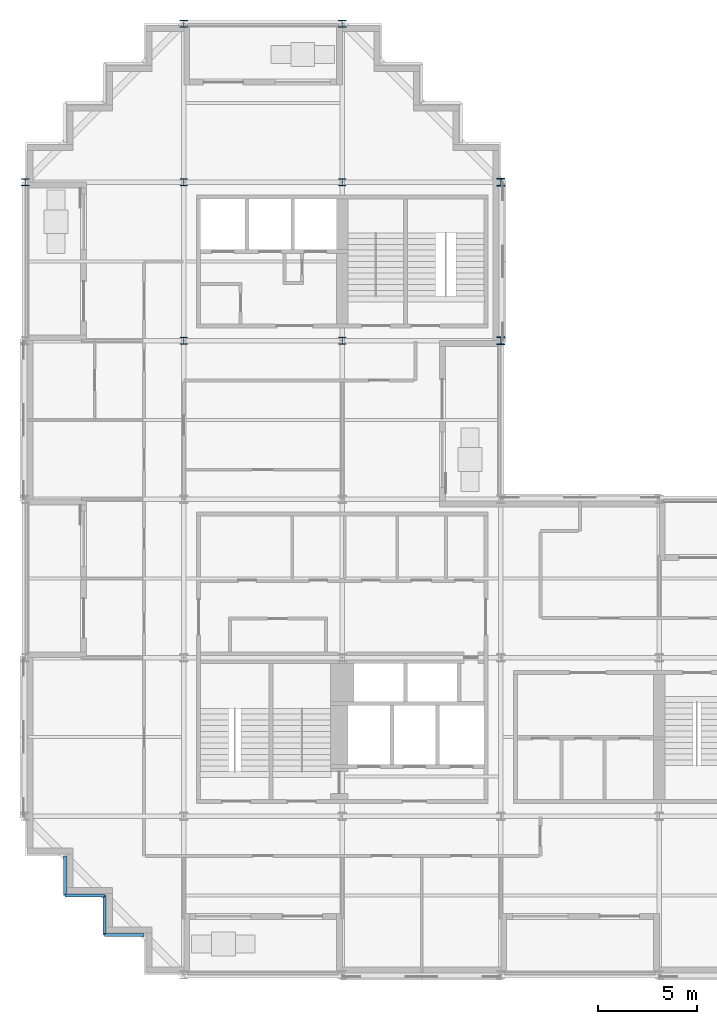
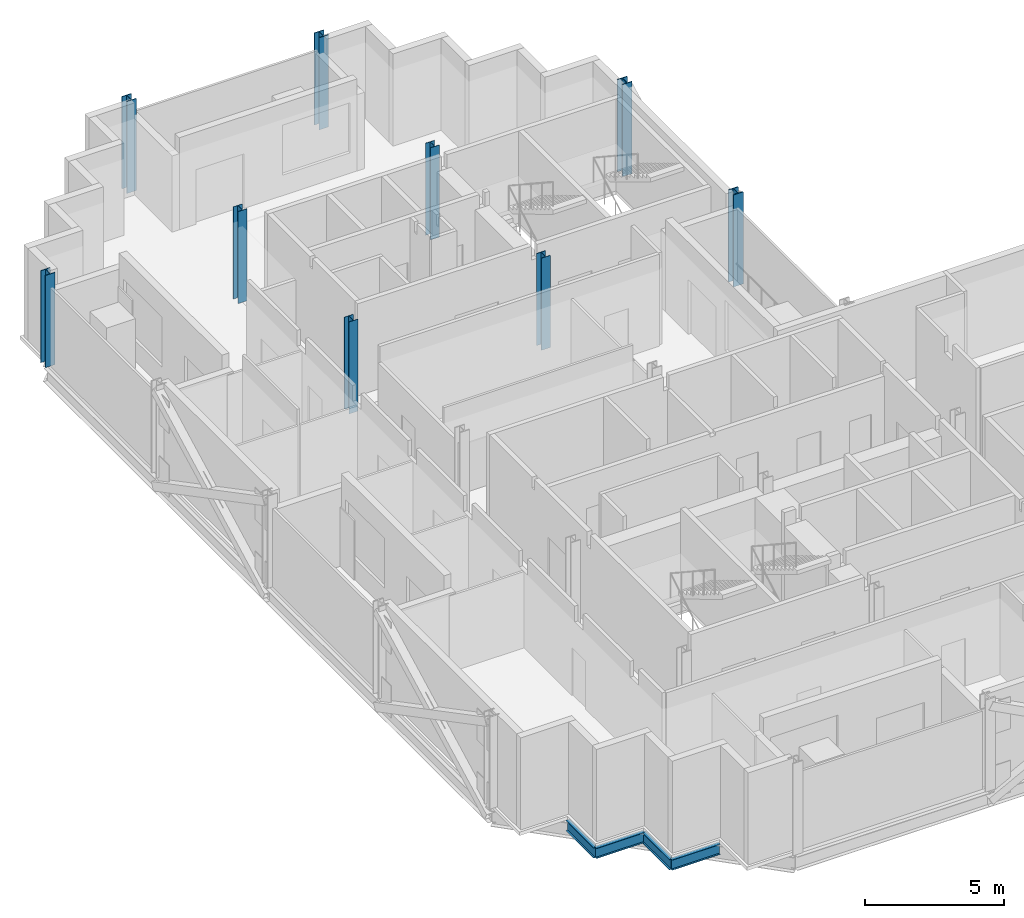
# One storey, part 2 of 12: 9 columns, 4 beams.
"""IFC4 building model written with IfcOpenShell, lengths in metres."""

from ifc_helpers import new_model, si_unit, direction, frame, origin, origin_2d, place, context, subcontext, project, spatial, i_section, extrude, material, material_profile, profile_set, type_object, element, save


model = new_model("IFC4")

# Units and contexts
model_context = context("Model", 3, precision=1e-05, world=origin(), true_north=direction((0.0, 1.0)))
body_context = subcontext(model_context, "Body", "Model", "MODEL_VIEW")
ifc_project = project(units=[si_unit("LENGTHUNIT", "METRE"), si_unit("AREAUNIT", "SQUARE_METRE"), si_unit("VOLUMEUNIT", "CUBIC_METRE"), si_unit("PLANEANGLEUNIT", "RADIAN"), si_unit("MASSUNIT", "GRAM", prefix="KILO")], contexts=[model_context])

# Site, building, storey
site_placement = place(None, origin())
site = spatial("IfcSite", under=ifc_project, at=site_placement, CompositionType="ELEMENT")
building_placement = place(site_placement, origin())
building = spatial("IfcBuilding", under=site, at=building_placement, Name="Immortelle Media Tower", CompositionType="ELEMENT")
storey_placement = place(building_placement, frame((0.0, 0.0, 153.60009765625)))
storey = spatial("IfcBuildingStorey", under=building, at=storey_placement, Name="L31", CompositionType="ELEMENT", Elevation=153.60009765625)

# Columns
ifc_material = material(Name="Steel ASTM A992 Gr 50", Category="steel")
ifc_material_profile_1 = material_profile(ifc_material, i_section(OverallWidth=0.39404296875, OverallDepth=0.3759765625, WebThickness=0.01708984375, FlangeThickness=0.028076171875, at=origin_2d()), Name="W14x145")
ifc_profile_set_1 = profile_set([ifc_material_profile_1], Name="Steel ASTM A992 Gr 50")
column_type_1 = type_object("IfcColumnType", Name="W14x145 column", PredefinedType="COLUMN", material=ifc_profile_set_1)
for number, where, z_axis, x_axis, name in (
    (1, (0.0, 40.0, 0.0), (0.0, 0.0, 1.0), (1.0, 0.0, 0.0), "Column 1/F"),
    (2, (8.0, 48.0, 0.0), (0.0, 0.0, 1.0), (1.0, 0.0, 0.0), "Column 2/G"),
    (3, (16.0, 48.0, 0.0), (0.0, 0.0, 1.0), (1.0, 0.0, 0.0), "Column 3/G"),
):
    element("IfcColumn", number, at=place(storey_placement, frame(where, z_axis=z_axis, x_axis=x_axis)), inside=storey, type_object=column_type_1, Name=name, PredefinedType="COLUMN", context=body_context, shape_type="SweptSolid", body=[
        extrude(i_section(OverallWidth=0.39404296875, OverallDepth=0.3759765625, WebThickness=0.01708984375, FlangeThickness=0.028076171875, at=origin_2d()), origin(), (0.0, 0.0, 1.0), 4.0498046875),
    ])
ifc_material_profile_2 = material_profile(ifc_material, i_section(OverallWidth=0.40087890625, OverallDepth=0.39892578125, WebThickness=0.02490234375, FlangeThickness=0.0400390625, at=origin_2d()), Name="W14x211")
ifc_profile_set_2 = profile_set([ifc_material_profile_2], Name="Steel ASTM A992 Gr 50")
column_type_2 = type_object("IfcColumnType", Name="W14x211 column", PredefinedType="COLUMN", material=ifc_profile_set_2)
for number, where, z_axis, x_axis, name in (
    (4, (24.0, 32.0, 0.0), (0.0, 0.0, 1.0), (1.0, 0.0, 0.0), "Column 4/E"),
    (5, (24.0, 40.0, 0.0), (0.0, 0.0, 1.0), (1.0, 0.0, 0.0), "Column 4/F"),
):
    element("IfcColumn", number, at=place(storey_placement, frame(where, z_axis=z_axis, x_axis=x_axis)), inside=storey, type_object=column_type_2, Name=name, PredefinedType="COLUMN", context=body_context, shape_type="SweptSolid", body=[
        extrude(i_section(OverallWidth=0.40087890625, OverallDepth=0.39892578125, WebThickness=0.02490234375, FlangeThickness=0.0400390625, at=origin_2d()), origin(), (0.0, 0.0, 1.0), 4.0498046875),
    ])
ifc_material_profile_3 = material_profile(ifc_material, i_section(OverallWidth=0.37109375, OverallDepth=0.361083984375, WebThickness=0.011962890625, FlangeThickness=0.02001953125, at=origin_2d()), Name="W14x99")
ifc_profile_set_3 = profile_set([ifc_material_profile_3], Name="Steel ASTM A992 Gr 50")
column_type_3 = type_object("IfcColumnType", Name="W14x99 column", PredefinedType="COLUMN", material=ifc_profile_set_3)
for number, where, z_axis, x_axis, name in (
    (6, (8.0, 32.0, 0.0), (0.0, 0.0, 1.0), (1.0, 0.0, 0.0), "Column 2/E"),
    (7, (8.0, 40.0, 0.0), (0.0, 0.0, 1.0), (1.0, 0.0, 0.0), "Column 2/F"),
    (8, (16.0, 32.0, 0.0), (0.0, 0.0, 1.0), (1.0, 0.0, 0.0), "Column 3/E"),
    (9, (16.0, 40.0, 0.0), (0.0, 0.0, 1.0), (1.0, 0.0, 0.0), "Column 3/F"),
):
    element("IfcColumn", number, at=place(storey_placement, frame(where, z_axis=z_axis, x_axis=x_axis)), inside=storey, type_object=column_type_3, Name=name, PredefinedType="COLUMN", context=body_context, shape_type="SweptSolid", body=[
        extrude(i_section(OverallWidth=0.37109375, OverallDepth=0.361083984375, WebThickness=0.011962890625, FlangeThickness=0.02001953125, at=origin_2d()), origin(), (0.0, 0.0, 1.0), 4.0498046875),
    ])

# Beams
ifc_material_profile_4 = material_profile(ifc_material, i_section(OverallWidth=0.153076171875, OverallDepth=0.455078125, WebThickness=0.008056640625, FlangeThickness=0.012939453125, at=origin_2d()), Name="W18x40")
ifc_profile_set_4 = profile_set([ifc_material_profile_4], Name="Steel ASTM A992 Gr 50")
beam_type = type_object("IfcBeamType", Name="W18x40 serration edge beam", PredefinedType="SPANDREL", material=ifc_profile_set_4)
for number, where, z_axis, x_axis, name in (
    (10, (6.0, 2.0, -0.377685546875), (-1.0, 0.0, 0.0), (0.0, -1.0, 0.0), "Corner edge beam 1 at 1/A"),
    (11, (4.0, 2.0, -0.377685546875), (0.0, 1.0, 0.0), (-1.0, 0.0, 0.0), "Corner edge beam 2 at 1/A"),
    (12, (4.0, 4.0, -0.377685546875), (-1.0, 0.0, 0.0), (0.0, -1.0, 0.0), "Corner edge beam 3 at 1/A"),
    (13, (2.0, 4.0, -0.377685546875), (0.0, 1.0, 0.0), (-1.0, 0.0, 0.0), "Corner edge beam 4 at 1/A"),
):
    element("IfcBeam", number, at=place(storey_placement, frame(where, z_axis=z_axis, x_axis=x_axis)), inside=storey, type_object=beam_type, Name=name, PredefinedType="SPANDREL", context=body_context, shape_type="SweptSolid", body=[
        extrude(i_section(OverallWidth=0.153076171875, OverallDepth=0.455078125, WebThickness=0.008056640625, FlangeThickness=0.012939453125, at=origin_2d()), origin(), (0.0, 0.0, 1.0), 2.0),
    ])

save(model, "model.ifc")
